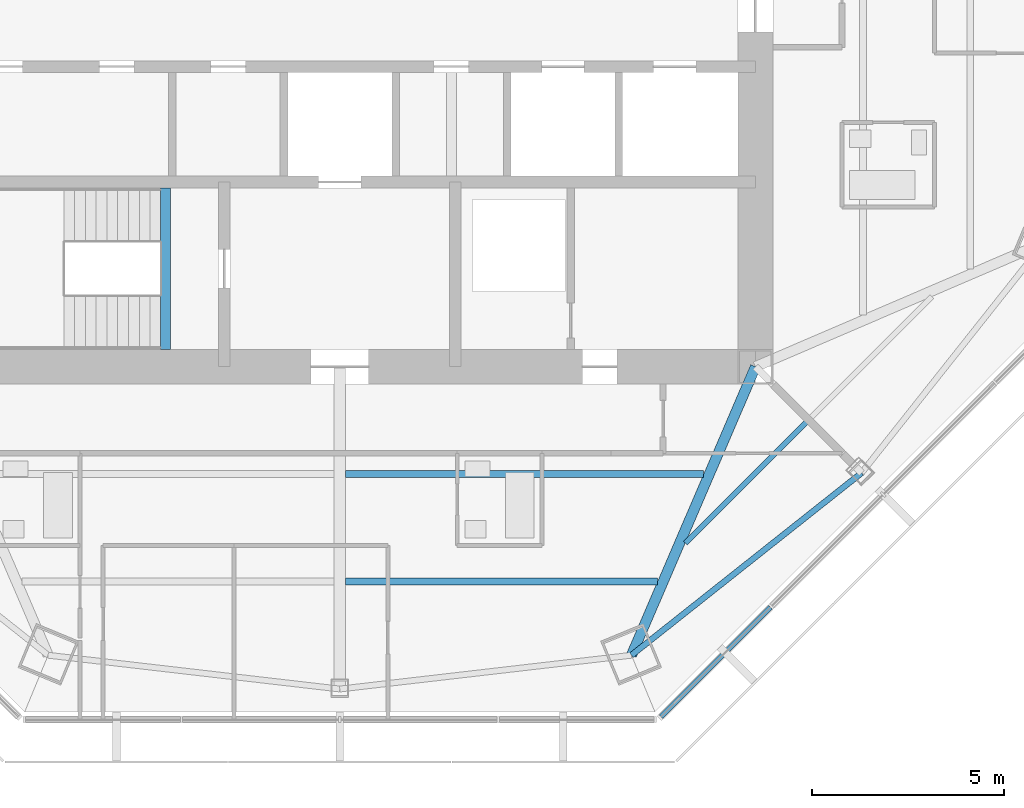
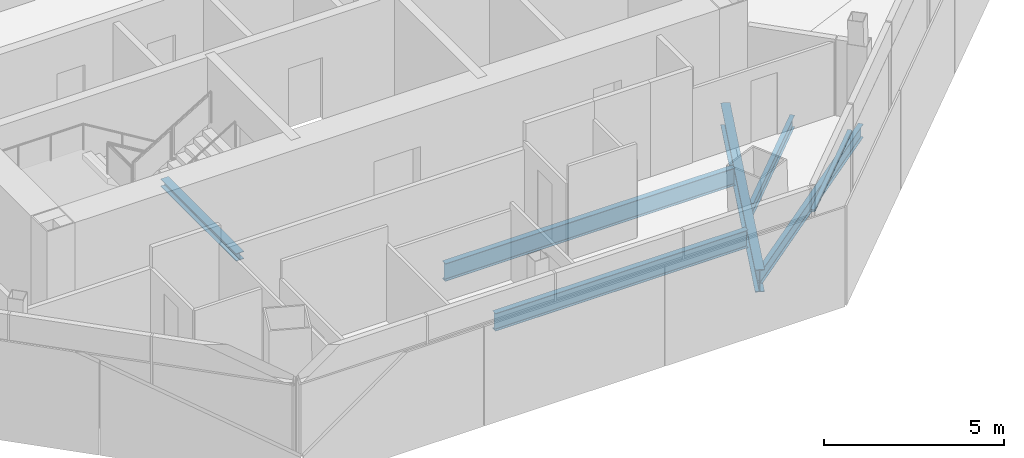
# One storey, part 3 of 14: 6 beams, 1 member, 1 element without a shape of its own.
"""IFC4 building model written with IfcOpenShell, lengths in metres."""

from ifc_helpers import new_model, si_unit, direction, frame, origin, origin_2d, place, context, subcontext, project, spatial, rectangle, i_section, extrude, source, transform, mapped, material, material_profile, profile_set, type_object, type_shapes, element, aggregate, save


model = new_model("IFC4")

# Units and contexts
model_context = context("Model", 3, precision=1e-05, world=origin(), true_north=direction((0.0, 1.0)))
body_context = subcontext(model_context, "Body", "Model", "MODEL_VIEW")
ifc_project = project(units=[si_unit("LENGTHUNIT", "METRE"), si_unit("AREAUNIT", "SQUARE_METRE"), si_unit("VOLUMEUNIT", "CUBIC_METRE"), si_unit("PLANEANGLEUNIT", "RADIAN"), si_unit("MASSUNIT", "GRAM", prefix="KILO")], contexts=[model_context])

# Site, building, storey
site_placement = place(None, origin())
site = spatial("IfcSite", under=ifc_project, at=site_placement, CompositionType="ELEMENT")
building_placement = place(site_placement, origin())
building = spatial("IfcBuilding", under=site, at=building_placement, Name="Mashrafa Tower", CompositionType="ELEMENT")
storey_placement = place(building_placement, frame((0.0, 0.0, 284.39990234375)))
storey = spatial("IfcBuildingStorey", under=building, at=storey_placement, Name="L69", CompositionType="ELEMENT", Elevation=284.39990234375)

# Beams
ifc_material_1 = material(Name="Steel ASTM A992", Category="steel")
ifc_material_profile_1 = material_profile(ifc_material_1, i_section(OverallWidth=0.140380859375, OverallDepth=0.40380859375, WebThickness=0.007080078125, FlangeThickness=0.01123046875, FilletRadius=0.01025390625, at=origin_2d()), Name="W16X31")
ifc_profile_set_1 = profile_set([ifc_material_profile_1], Name="Steel ASTM A992")
beam_type_1 = type_object("IfcBeamType", Name="Beam W16X31", PredefinedType="BEAM", material=ifc_profile_set_1)
beam_1_placement = place(storey_placement, frame((12.116455078125, -12.242431640625, -0.40185546875), z_axis=(-0.707106781187, -0.707106781187, 0.0), x_axis=(0.707106781187, -0.707106781187, 0.0)))
element("IfcBeam", 1, at=beam_1_placement, inside=storey, type_object=beam_type_1, Name="Floor beam L69 018", PredefinedType="BEAM", context=body_context, shape_type="SweptSolid", body=[
    extrude(i_section(OverallWidth=0.140380859375, OverallDepth=0.40380859375, WebThickness=0.007080078125, FlangeThickness=0.01123046875, FilletRadius=0.01025390625, at=origin_2d()), origin(), (0.0, 0.0, 1.0), 4.441162109375),
])
ifc_material_2 = material(Name="Steel ASTM A992", Category="steel")
ifc_material_profile_2 = material_profile(ifc_material_2, i_section(OverallWidth=0.15234375, OverallDepth=0.449462890625, WebThickness=0.007568359375, FlangeThickness=0.0107421875, FilletRadius=0.01025390625, at=origin_2d()), Name="W18X35")
ifc_profile_set_2 = profile_set([ifc_material_profile_2], Name="Steel ASTM A992")
beam_type_2 = type_object("IfcBeamType", Name="Beam W18X35", PredefinedType="BEAM", material=ifc_profile_set_2)
beam_2_placement = place(storey_placement, frame((7.578857421875, -18.296875, -0.4248046875), z_axis=(0.783797893211, 0.621015992224, 0.0), x_axis=(-0.621015992224, 0.783797893211, 0.0)))
element("IfcBeam", 2, at=beam_2_placement, inside=storey, type_object=beam_type_2, Name="Spandrel beam L69 050", PredefinedType="BEAM", context=body_context, shape_type="SweptSolid", body=[
    extrude(i_section(OverallWidth=0.15234375, OverallDepth=0.449462890625, WebThickness=0.007568359375, FlangeThickness=0.0107421875, FilletRadius=0.01025390625, at=origin_2d()), origin(), (0.0, 0.0, 1.0), 7.62939453125),
])
ifc_material_3 = material(Name="Steel ASTM A992", Category="steel")
ifc_material_profile_3 = material_profile(ifc_material_3, i_section(OverallWidth=0.177978515625, OverallDepth=0.599365234375, WebThickness=0.010009765625, FlangeThickness=0.012939453125, FilletRadius=0.012939453125, at=origin_2d()), Name="W24X55")
ifc_profile_set_3 = profile_set([ifc_material_profile_3], Name="Steel ASTM A992")
beam_type_3 = type_object("IfcBeamType", Name="Beam W24X55", PredefinedType="BEAM", material=ifc_profile_set_3)
beam_3_placement = place(storey_placement, frame((8.255859375, -16.38330078125, -0.49951171875), z_axis=(-1.0, 0.0, 0.0), x_axis=(0.0, -1.0, 0.0)))
element("IfcBeam", 3, at=beam_3_placement, inside=storey, type_object=beam_type_3, Name="Floor beam L69 015", PredefinedType="BEAM", context=body_context, shape_type="SweptSolid", body=[
    extrude(i_section(OverallWidth=0.177978515625, OverallDepth=0.599365234375, WebThickness=0.010009765625, FlangeThickness=0.012939453125, FilletRadius=0.012939453125, at=origin_2d()), origin(), (0.0, 0.0, 1.0), 8.10986328125),
])
beam_4_placement = place(storey_placement, frame((9.455322265625, -13.591796875, -0.49951171875), z_axis=(-1.0, 0.0, 0.0), x_axis=(0.0, -1.0, 0.0)))
element("IfcBeam", 4, at=beam_4_placement, inside=storey, type_object=beam_type_3, Name="Floor beam L69 017", PredefinedType="BEAM", context=body_context, shape_type="SweptSolid", body=[
    extrude(i_section(OverallWidth=0.177978515625, OverallDepth=0.599365234375, WebThickness=0.010009765625, FlangeThickness=0.012939453125, FilletRadius=0.012939453125, at=origin_2d()), origin(), (0.0, 0.0, 1.0), 9.309326171875),
])
ifc_material_4 = material(Name="Steel ASTM A992", Category="steel")
ifc_material_profile_4 = material_profile(ifc_material_4, i_section(OverallWidth=0.2666015625, OverallDepth=0.761962890625, WebThickness=0.014404296875, FlangeThickness=0.021484375, FilletRadius=0.0166015625, at=origin_2d()), Name="W30X116")
ifc_profile_set_4 = profile_set([ifc_material_profile_4], Name="Steel ASTM A992")
beam_type_4 = type_object("IfcBeamType", Name="Beam W30X116", PredefinedType="BEAM", material=ifc_profile_set_4)
beam_5_placement = place(storey_placement, frame((10.800048828125, -10.800048828125, -0.580810546875), z_axis=(-0.394774965721, -0.918777843899, 0.0), x_axis=(0.918777843899, -0.394774965721, 0.0)))
element("IfcBeam", 5, at=beam_5_placement, inside=storey, type_object=beam_type_4, Name="Radial girder L69 034", PredefinedType="BEAM", context=body_context, shape_type="SweptSolid", body=[
    extrude(i_section(OverallWidth=0.2666015625, OverallDepth=0.761962890625, WebThickness=0.014404296875, FlangeThickness=0.021484375, FilletRadius=0.0166015625, at=origin_2d()), origin(), (0.0, 0.0, 1.0), 8.15966796875),
])
ifc_material_5 = material(Name="Steel ASTM A992", Category="steel")
ifc_material_profile_5 = material_profile(ifc_material_5, i_section(OverallWidth=0.25390625, OverallDepth=0.25390625, WebThickness=0.008544921875, FlangeThickness=0.01416015625, FilletRadius=0.010009765625, at=origin_2d()), Name="W10X49")
ifc_profile_set_5 = profile_set([ifc_material_profile_5], Name="Steel ASTM A992")
beam_type_5 = type_object("IfcBeamType", Name="Hoistway beam W10X49", PredefinedType="BEAM", material=ifc_profile_set_5)
beam_6_placement = place(storey_placement, frame((-4.530029296875, -10.35009765625, -0.326904296875), z_axis=(0.0, 1.0, 0.0), x_axis=(-1.0, 0.0, 0.0)))
element("IfcBeam", 6, at=beam_6_placement, inside=storey, type_object=beam_type_5, Name="Stair S3 landing beam L69", PredefinedType="BEAM", context=body_context, shape_type="SweptSolid", body=[
    extrude(i_section(OverallWidth=0.25390625, OverallDepth=0.25390625, WebThickness=0.008544921875, FlangeThickness=0.01416015625, FilletRadius=0.010009765625, at=origin_2d()), origin(), (0.0, 0.0, 1.0), 4.2001953125),
])

# Curtain wall, member
ifc_material_6 = material(Name="Unitised aluminium curtain wall", Category="aluminium")
curtain_wall_type = type_object("IfcCurtainWallType", Name="Apartment curtain wall, zone 4 CW-D 160 deep", PredefinedType="NOTDEFINED", material=ifc_material_6)
curtain_wall_placement = place(storey_placement, origin())
curtain_wall = element("IfcCurtainWall", 7, at=curtain_wall_placement, inside=storey, type_object=curtain_wall_type, Name="Apartment curtain wall, zone 4 L69 south-east", PredefinedType="NOTDEFINED")
ifc_material_7 = material(Name="Extruded aluminium transom", Category="aluminium")
ifc_material_profile_6 = material_profile(ifc_material_7, rectangle(XDim=0.1279296875, YDim=0.074951171875, at=origin_2d()), Name="Transom 75x128")
ifc_profile_set_6 = profile_set([ifc_material_profile_6], Name="Extruded aluminium transom")
member_type = type_object("IfcMemberType", Name="Transom CW-D 75 x 128", PredefinedType="MULLION", material=ifc_profile_set_6)
shared_shape = source(origin(), body_context, "Body", "SweptSolid", [
    extrude(rectangle(XDim=0.1279296875, YDim=0.074951171875, at=origin_2d()), origin(), (0.0, 0.0, 1.0), 4.024169921875),
])
type_shapes(member_type, [shared_shape])
member_placement = place(storey_placement, frame((8.344482421875, -19.896484375, 2.5), z_axis=(0.707137114146, 0.707076446926, 0.0), x_axis=(-0.707076446926, 0.707137114146, 0.0)))
member = element("IfcMember", 8, at=member_placement, type_object=member_type, Name="CW-D transom 1", PredefinedType="MULLION", context=body_context, shape_type="MappedRepresentation", body=[
    mapped(shared_shape, transform((0.0, 0.0, 0.0))),
])
aggregate(curtain_wall, [member])

save(model, "model.ifc")
